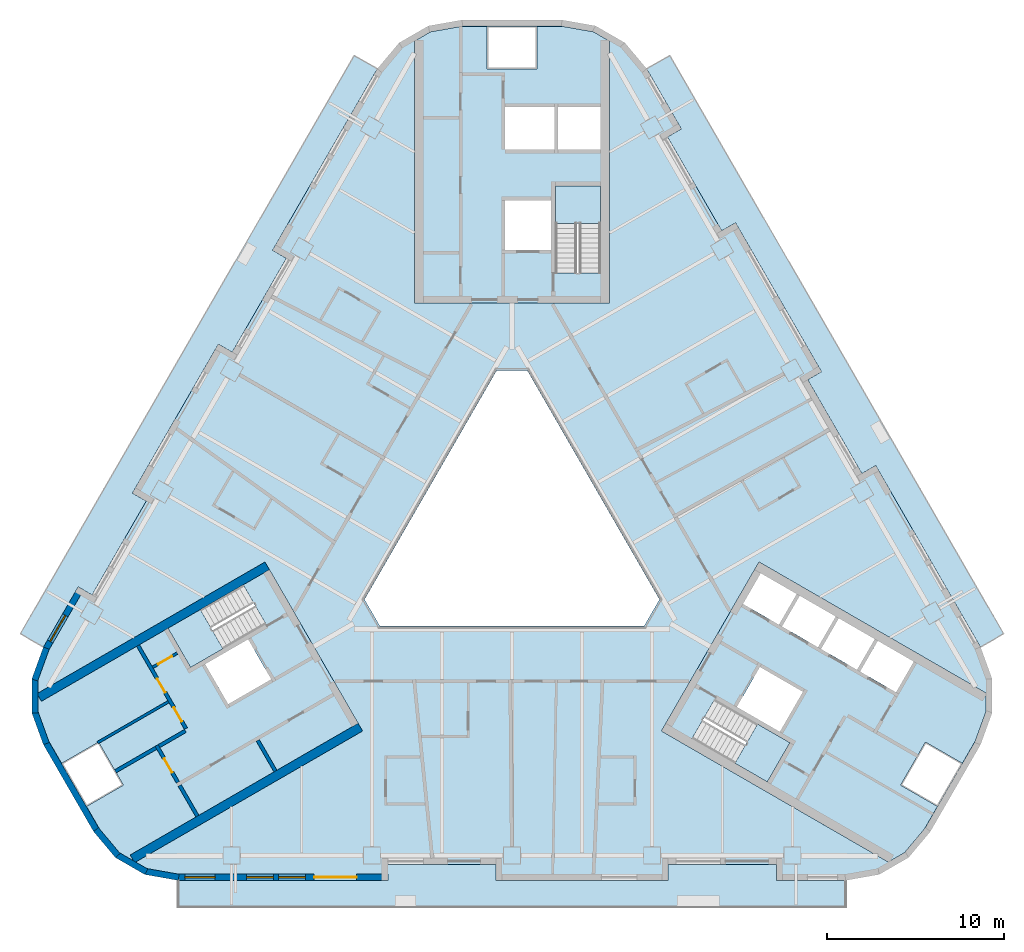
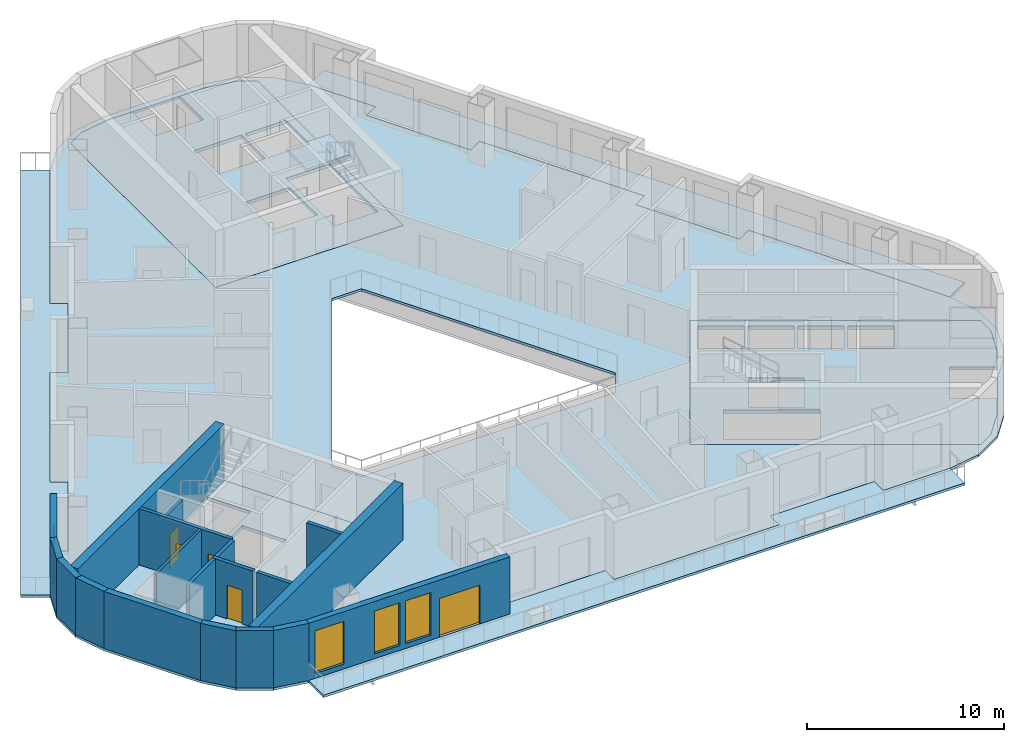
# One storey, part 2 of 14: 19 walls, 10 slabs, 5 doors, 4 windows, 9 openings, 3 elements without a shape of their own.
"""IFC4 building model written with IfcOpenShell, lengths in metres."""

from ifc_helpers import new_model, si_unit, direction, frame, frame_2d, origin, place, context, subcontext, project, spatial, polyline, rectangle, outline, extrude, material, layer, layer_set, type_object, element, fill, aggregate, save


model = new_model("IFC4")

# Units and contexts
model_context = context("Model", 3, precision=1e-05, world=origin(), true_north=direction((0.0, 1.0)))
body_context = subcontext(model_context, "Body", "Model", "MODEL_VIEW")
ifc_project = project(units=[si_unit("LENGTHUNIT", "METRE"), si_unit("AREAUNIT", "SQUARE_METRE"), si_unit("VOLUMEUNIT", "CUBIC_METRE"), si_unit("PLANEANGLEUNIT", "RADIAN"), si_unit("MASSUNIT", "GRAM", prefix="KILO")], contexts=[model_context])

# Site, building, storey
site_placement = place(None, origin())
site = spatial("IfcSite", under=ifc_project, at=site_placement, CompositionType="ELEMENT")
building_placement = place(site_placement, origin())
building = spatial("IfcBuilding", under=site, at=building_placement, Name="Apuvela Tower Hotel", CompositionType="ELEMENT")
storey_placement = place(building_placement, frame((0.0, 0.0, 72.39990234375)))
storey = spatial("IfcBuildingStorey", under=building, at=storey_placement, Name="L15", CompositionType="ELEMENT", Elevation=72.39990234375)

# Slabs
ifc_material_1 = material(Name="Concrete C50/60", Category="concrete")
ifc_layer_1 = layer(ifc_material_1, 0.199951171875)
ifc_layer_set_1 = layer_set([ifc_layer_1], Name="COR-FLOOR-200")
slab_type_1 = type_object("IfcSlabType", Name="COR-FLOOR-200", PredefinedType="FLOOR", material=ifc_layer_set_1)
slab_1_placement = place(storey_placement, frame((0.0, 0.0, -0.199951171875)))
element("IfcSlab", 1, at=slab_1_placement, inside=storey, type_object=slab_type_1, Name="Core floor N", PredefinedType="FLOOR", context=body_context, shape_type="SweptSolid", body=[
    extrude(outline(polyline([(5.5, 27.668212890625), (4.588623046875, 28.1943359375), (2.85498046875, 28.5), (1.39990234375, 28.5), (1.39990234375, 26.10009765625), (-1.39990234375, 26.10009765625), (-1.39990234375, 28.5), (-2.85498046875, 28.5), (-4.588623046875, 28.1943359375), (-5.5, 27.668212890625), (-5.5, 12.89990234375), (5.5, 12.89990234375), (5.5, 27.668212890625)]), holes=[polyline([(5.0, 14.60595703125), (2.449951171875, 14.60595703125), (2.449951171875, 19.5), (5.0, 19.5), (5.0, 14.60595703125)]), polyline([(2.199951171875, 15.89990234375), (-0.39990234375, 15.89990234375), (-0.39990234375, 18.699951171875), (2.199951171875, 18.699951171875), (2.199951171875, 15.89990234375)]), polyline([(5.0, 21.550048828125), (2.60009765625, 21.550048828125), (2.60009765625, 23.949951171875), (5.0, 23.949951171875), (5.0, 21.550048828125)]), polyline([(2.39990234375, 21.550048828125), (-0.39990234375, 21.550048828125), (-0.39990234375, 23.949951171875), (2.39990234375, 23.949951171875), (2.39990234375, 21.550048828125)])]), origin(), (0.0, 0.0, 1.0), 0.199951171875),
])
slab_2_placement = place(storey_placement, frame((0.0, 0.0, -0.199951171875)))
element("IfcSlab", 2, at=slab_2_placement, inside=storey, type_object=slab_type_1, Name="Core floor SW", PredefinedType="FLOOR", context=body_context, shape_type="SweptSolid", body=[
    extrude(outline(polyline([(-26.711181640625, -9.07080078125), (-26.711181640625, -10.123291015625), (-26.109375, -11.77734375), (-25.381591796875, -13.03759765625), (-23.30322265625, -11.837646484375), (-21.9033203125, -14.262451171875), (-23.981689453125, -15.46240234375), (-23.254150390625, -16.72265625), (-22.122802734375, -18.071044921875), (-21.211181640625, -18.59716796875), (-8.421630859375, -11.213134765625), (-13.921630859375, -1.68701171875), (-26.711181640625, -9.07080078125)]), holes=[polyline([(-13.874267578125, -5.18115234375), (-18.112548828125, -7.628173828125), (-19.387451171875, -5.419921875), (-15.149169921875, -2.972900390625), (-13.874267578125, -5.18115234375)]), polyline([(-13.56982421875, -8.29638671875), (-15.99462890625, -9.6962890625), (-17.294677734375, -7.444580078125), (-14.869873046875, -6.044677734375), (-13.56982421875, -8.29638671875)])]), origin(), (0.0, 0.0, 1.0), 0.199951171875),
])
slab_3_placement = place(storey_placement, frame((0.0, 0.0, -0.199951171875)))
element("IfcSlab", 3, at=slab_3_placement, inside=storey, type_object=slab_type_1, Name="Core floor SE", PredefinedType="FLOOR", context=body_context, shape_type="SweptSolid", body=[
    extrude(outline(polyline([(21.211181640625, -18.59716796875), (22.122802734375, -18.071044921875), (23.254150390625, -16.72265625), (23.981689453125, -15.46240234375), (21.9033203125, -14.262451171875), (23.30322265625, -11.837646484375), (25.381591796875, -13.03759765625), (26.109375, -11.77734375), (26.711181640625, -10.123291015625), (26.711181640625, -9.07080078125), (13.921630859375, -1.68701171875), (8.421630859375, -11.213134765625), (21.211181640625, -18.59716796875)]), holes=[polyline([(13.01806640625, -4.052001953125), (14.01806640625, -2.31982421875), (16.044677734375, -3.489990234375), (15.044677734375, -5.221923828125), (13.01806640625, -4.052001953125)]), polyline([(17.244384765625, -6.491943359375), (15.2177734375, -5.322021484375), (16.2177734375, -3.58984375), (18.244384765625, -4.760009765625), (17.244384765625, -6.491943359375)]), polyline([(14.387451171875, -14.080078125), (10.149169921875, -11.633056640625), (11.42431640625, -9.4248046875), (15.66259765625, -11.871826171875), (14.387451171875, -14.080078125)]), polyline([(12.669921875, -9.855224609375), (13.9697265625, -7.603515625), (16.394775390625, -9.003662109375), (15.0947265625, -11.25537109375), (12.669921875, -9.855224609375)]), polyline([(19.444091796875, -7.761962890625), (17.41748046875, -6.591796875), (18.41748046875, -4.85986328125), (20.444091796875, -6.02978515625), (19.444091796875, -7.761962890625)]), polyline([(21.643798828125, -9.031982421875), (19.6171875, -7.86181640625), (20.6171875, -6.1298828125), (22.643798828125, -7.2998046875), (21.643798828125, -9.031982421875)])]), origin(), (0.0, 0.0, 1.0), 0.199951171875),
])

# Stair, slab
stair_type = type_object("IfcStairType", Name="COR-STAIR-22R", PredefinedType="HALF_TURN_STAIR", material=ifc_material_1)
stair_1_placement = place(storey_placement, origin())
stair_1 = element("IfcStair", 4, at=stair_1_placement, inside=storey, type_object=stair_type, Name="L15 Exit stair ST1", PredefinedType="HALF_TURN_STAIR")
ifc_layer_2 = layer(ifc_material_1, 0.199951171875)
ifc_layer_set_2 = layer_set([ifc_layer_2], Name="COR-LANDING-200")
slab_type_2 = type_object("IfcSlabType", Name="COR-LANDING-200", PredefinedType="LANDING", material=ifc_layer_set_2)
slab_4_placement = place(storey_placement, frame((0.0, 0.0, 1.650146484375)))
slab_4 = element("IfcSlab", 5, at=slab_4_placement, type_object=slab_type_2, Name="ST1 landing 1", PredefinedType="LANDING", context=body_context, shape_type="SweptSolid", body=[
    extrude(outline(polyline([(5.0, 17.39404296875), (5.0, 19.5), (2.449951171875, 19.5), (2.449951171875, 17.39404296875), (5.0, 17.39404296875)])), origin(), (0.0, 0.0, 1.0), 0.199951171875),
])
aggregate(stair_1, [slab_4])

stair_2_placement = place(storey_placement, origin())
stair_2 = element("IfcStair", 6, at=stair_2_placement, inside=storey, type_object=stair_type, Name="L15 Exit stair ST2", PredefinedType="HALF_TURN_STAIR")
slab_5_placement = place(storey_placement, frame((0.0, 0.0, 1.650146484375)))
slab_5 = element("IfcSlab", 7, at=slab_5_placement, type_object=slab_type_2, Name="ST2 landing 1", PredefinedType="LANDING", context=body_context, shape_type="SweptSolid", body=[
    extrude(outline(polyline([(-17.563720703125, -4.366943359375), (-19.387451171875, -5.419921875), (-18.112548828125, -7.628173828125), (-16.28857421875, -6.5751953125), (-17.563720703125, -4.366943359375)])), origin(), (0.0, 0.0, 1.0), 0.199951171875),
])
aggregate(stair_2, [slab_5])

stair_3_placement = place(storey_placement, origin())
stair_3 = element("IfcStair", 8, at=stair_3_placement, inside=storey, type_object=stair_type, Name="L15 Exit stair ST3", PredefinedType="HALF_TURN_STAIR")
slab_6_placement = place(storey_placement, frame((0.0, 0.0, 1.650146484375)))
slab_6 = element("IfcSlab", 9, at=slab_6_placement, type_object=slab_type_2, Name="ST3 landing 1", PredefinedType="LANDING", context=body_context, shape_type="SweptSolid", body=[
    extrude(outline(polyline([(12.563720703125, -13.027099609375), (14.387451171875, -14.080078125), (15.66259765625, -11.871826171875), (13.838623046875, -10.81884765625), (12.563720703125, -13.027099609375)])), origin(), (0.0, 0.0, 1.0), 0.199951171875),
])
aggregate(stair_3, [slab_6])

# Slabs
ifc_material_2 = material(Name="Concrete C40/50, fair-faced", Category="concrete")
ifc_layer_3 = layer(ifc_material_2, 0.14990234375)
ifc_layer_set_3 = layer_set([ifc_layer_3], Name="ENV-BALCONY-150")
slab_type_3 = type_object("IfcSlabType", Name="ENV-BALCONY-150", PredefinedType="FLOOR", material=ifc_layer_set_3)
slab_7_placement = place(storey_placement, frame((0.0, 0.0, -0.14990234375)))
element("IfcSlab", 10, at=slab_7_placement, inside=storey, type_object=slab_type_3, Name="Balcony slab S L15", PredefinedType="FLOOR", context=body_context, shape_type="SweptSolid", body=[
    extrude(outline(polyline([(18.82080078125, -21.135009765625), (-18.82080078125, -21.135009765625), (-18.82080078125, -19.625), (-7.0048828125, -19.625), (-7.0048828125, -18.72509765625), (-0.89501953125, -18.72509765625), (-0.89501953125, -19.625), (8.794921875, -19.625), (8.794921875, -18.72509765625), (14.905029296875, -18.72509765625), (14.905029296875, -19.625), (18.82080078125, -19.625), (18.82080078125, -21.135009765625)])), origin(), (0.0, 0.0, 1.0), 0.14990234375),
])
slab_8_placement = place(storey_placement, frame((0.0, 0.0, -0.14990234375)))
element("IfcSlab", 11, at=slab_8_placement, inside=storey, type_object=slab_type_3, Name="Balcony slab NE L15", PredefinedType="FLOOR", context=body_context, shape_type="SweptSolid", body=[
    extrude(outline(polyline([(17.443359375, 9.037353515625), (12.598388671875, 17.42919921875), (11.81884765625, 16.979248046875), (8.763916015625, 22.2705078125), (9.543212890625, 22.720703125), (7.585205078125, 26.11181640625), (8.89306640625, 26.86669921875), (27.7138671875, -5.731689453125), (26.40625, -6.48681640625), (20.498291015625, 3.74609375), (19.71875, 3.2958984375), (16.663818359375, 8.58740234375), (17.443359375, 9.037353515625)])), origin(), (0.0, 0.0, 1.0), 0.14990234375),
])
slab_9_placement = place(storey_placement, frame((0.0, 0.0, -0.14990234375)))
element("IfcSlab", 12, at=slab_9_placement, inside=storey, type_object=slab_type_3, Name="Balcony slab NW L15", PredefinedType="FLOOR", context=body_context, shape_type="SweptSolid", body=[
    extrude(outline(polyline([(-27.7138671875, -5.731689453125), (-8.89306640625, 26.86669921875), (-7.585205078125, 26.11181640625), (-13.4931640625, 15.87890625), (-12.7138671875, 15.428955078125), (-15.768798828125, 10.1376953125), (-16.548095703125, 10.587646484375), (-21.393310546875, 2.19580078125), (-20.61376953125, 1.745849609375), (-23.668701171875, -3.545654296875), (-24.4482421875, -3.095703125), (-26.40625, -6.48681640625), (-27.7138671875, -5.731689453125)])), origin(), (0.0, 0.0, 1.0), 0.14990234375),
])
ifc_material_3 = material(Name="Concrete C35/45", Category="concrete")
ifc_layer_4 = layer(ifc_material_3, 0.14990234375)
ifc_layer_set_4 = layer_set([ifc_layer_4], Name="STR-SLAB 150 floor Concrete C35/45")
slab_type_4 = type_object("IfcSlabType", Name="STR-SLAB 150 floor Concrete C35/45", PredefinedType="FLOOR", material=ifc_layer_set_4)
slab_10_placement = place(storey_placement, frame((0.0, 0.0, -0.14990234375)))
element("IfcSlab", 13, at=slab_10_placement, inside=storey, type_object=slab_type_4, Name="Floor slab S4 L15", PredefinedType="FLOOR", context=body_context, shape_type="SweptSolid", body=[
    extrude(outline(polyline([(-6.3642578125, 27.5732421875), (-4.710205078125, 28.5283203125), (-2.8291015625, 28.860107421875), (2.8291015625, 28.860107421875), (4.710205078125, 28.5283203125), (6.3642578125, 27.5732421875), (7.59228515625, 26.110107421875), (9.550048828125, 22.71875), (8.770751953125, 22.268798828125), (11.82080078125, 16.986083984375), (12.60009765625, 17.43603515625), (17.4501953125, 9.035400390625), (16.670654296875, 8.58544921875), (19.720703125, 3.302734375), (20.5, 3.752685546875), (26.407958984375, -6.47998046875), (27.061279296875, -8.27490234375), (27.061279296875, -10.18505859375), (26.407958984375, -11.97998046875), (23.5791015625, -16.8798828125), (22.351318359375, -18.34326171875), (20.697021484375, -19.29833984375), (18.81591796875, -19.6298828125), (14.89990234375, -19.6298828125), (14.89990234375, -18.72998046875), (8.800048828125, -18.72998046875), (8.800048828125, -19.6298828125), (-0.89990234375, -19.6298828125), (-0.89990234375, -18.72998046875), (-7.0, -18.72998046875), (-7.0, -19.6298828125), (-18.81591796875, -19.6298828125), (-20.697021484375, -19.29833984375), (-22.351318359375, -18.34326171875), (-23.5791015625, -16.8798828125), (-26.407958984375, -11.97998046875), (-27.061279296875, -10.18505859375), (-27.061279296875, -8.27490234375), (-26.407958984375, -6.47998046875), (-24.4501953125, -3.088623046875), (-23.670654296875, -3.538818359375), (-20.62060546875, 1.743896484375), (-21.400146484375, 2.194091796875), (-16.550048828125, 10.594482421875), (-15.7705078125, 10.14453125), (-12.720703125, 15.42724609375), (-13.5, 15.877197265625), (-7.59228515625, 26.110107421875), (-6.3642578125, 27.5732421875)]), holes=[polyline([(0.865966796875, 9.10009765625), (-0.865966796875, 9.10009765625), (-8.313720703125, -3.800048828125), (-7.44775390625, -5.300048828125), (7.44775390625, -5.300048828125), (8.313720703125, -3.800048828125), (0.865966796875, 9.10009765625)]), polyline([(-5.5, 12.89990234375), (-5.5, 27.668212890625), (-4.588623046875, 28.1943359375), (-2.85498046875, 28.5), (2.85498046875, 28.5), (4.588623046875, 28.1943359375), (5.5, 27.668212890625), (5.5, 12.89990234375), (-5.5, 12.89990234375)]), polyline([(-8.421630859375, -11.213134765625), (-21.211181640625, -18.59716796875), (-22.122802734375, -18.071044921875), (-23.254150390625, -16.72265625), (-26.109375, -11.77734375), (-26.711181640625, -10.123291015625), (-26.711181640625, -9.07080078125), (-13.921630859375, -1.68701171875), (-8.421630859375, -11.213134765625)]), polyline([(13.921630859375, -1.68701171875), (26.711181640625, -9.07080078125), (26.711181640625, -10.123291015625), (26.109375, -11.77734375), (23.254150390625, -16.72265625), (22.122802734375, -18.071044921875), (21.211181640625, -18.59716796875), (8.421630859375, -11.213134765625), (13.921630859375, -1.68701171875)])]), origin(), (0.0, 0.0, 1.0), 0.14990234375),
])

# Walls
ifc_layer_5 = layer(ifc_material_1, 0.5)
ifc_layer_set_5 = layer_set([ifc_layer_5], Name="COR-WALL-CORE-500")
wall_type_1 = type_object("IfcWallType", Name="COR-WALL-CORE-500", PredefinedType="SHEAR", material=ifc_layer_set_5)
for number, where, z_axis, x_axis, name in (
    (14, (-13.796630859375, -1.9033203125, 0.0), (0.0, 0.0, 1.0), (-0.866025009528, -0.500000682871, 0.0), "Core wall SW"),
    (15, (-8.546630859375, -10.99658203125, 0.0), (0.0, 0.0, 1.0), (-0.866025009528, -0.500000682871, 0.0), "Core wall SW"),
):
    element("IfcWall", number, at=place(storey_placement, frame(where, z_axis=z_axis, x_axis=x_axis)), inside=storey, type_object=wall_type_1, Name=name, PredefinedType="SHEAR", context=body_context, shape_type="SweptSolid", body=[
        extrude(rectangle(XDim=14.8369140625, YDim=0.5, at=frame_2d((7.41845703125, 0.0))), origin(), (0.0, 0.0, 1.0), 3.5),
    ])

# Wall, opening, door
ifc_material_4 = material(Name="Blockwork 150 mm plastered", Category="masonry")
ifc_layer_6 = layer(ifc_material_4, 0.14990234375)
ifc_layer_set_6 = layer_set([ifc_layer_6], Name="COR-WALL-PART-150")
wall_type_2 = type_object("IfcWallType", Name="COR-WALL-PART-150", PredefinedType="PARTITIONING", material=ifc_layer_set_6)
wall_1_placement = place(storey_placement, frame((-18.866455078125, -6.822265625, 0.0), z_axis=(0.0, 0.0, 1.0), x_axis=(-0.866028054938, -0.499995408039, 0.0)))
wall_1 = element("IfcWall", 16, at=wall_1_placement, inside=storey, type_object=wall_type_2, Name="Partition SW", PredefinedType="PARTITIONING", context=body_context, shape_type="SweptSolid", body=[
    extrude(rectangle(XDim=1.60009765625, YDim=0.14990234375, at=frame_2d((0.800048828125, 0.0))), origin(), (0.0, 0.0, 1.0), 3.5),
])
opening_1_placement = place(wall_1_placement, frame((0.35009765625, 0.0, 0.0)))
opening_1 = element("IfcOpeningElement", 17, at=opening_1_placement, cuts=wall_1, Name="Opening W-RD", PredefinedType="OPENING", context=body_context, shape_type="SweptSolid", body=[
    extrude(rectangle(XDim=0.89990234375, YDim=2.10009765625, at=frame_2d((0.449951171875, 1.050048828125))), frame((0.0, 0.0849609375, 0.0), z_axis=(0.0, -1.0, 0.0), x_axis=(1.0, 0.0, 0.0)), (0.0, 0.0, 1.0), 0.169921875),
])
ifc_material_5 = material(Name="Steel access door, powder coated", Category="steel")
door_type_1 = type_object("IfcDoorType", Name="COR-RD-900", OperationType="NOTDEFINED", PredefinedType="DOOR", material=ifc_material_5)
door_1_placement = place(opening_1_placement, frame((0.89990234375, 0.0, 0.0), z_axis=(0.0, 0.0, 1.0), x_axis=(-1.0, 0.0, 0.0)))
door_1 = element("IfcDoor", 18, at=door_1_placement, inside=storey, type_object=door_type_1, Name="Riser door W-RD", OperationType="SINGLE_SWING_RIGHT", OverallHeight=2.10009765625, OverallWidth=0.89990234375, PredefinedType="DOOR", context=body_context, shape_type="SweptSolid", body=[
    extrude(rectangle(XDim=0.89990234375, YDim=2.10009765625, at=frame_2d((0.449951171875, 1.050048828125))), frame((0.0, 0.02490234375, 0.0), z_axis=(0.0, -1.0, 0.0), x_axis=(1.0, 0.0, 0.0)), (0.0, 0.0, 1.0), 0.050048828125),
])
fill(opening_1, door_1)

# Wall
wall_2_placement = place(storey_placement, frame((-19.36279296875, -9.5625, 0.0), z_axis=(0.0, 0.0, 1.0), x_axis=(-0.86601185002, -0.500023475074, 0.0)))
element("IfcWall", 19, at=wall_2_placement, inside=storey, type_object=wall_type_2, Name="Partition SW", PredefinedType="PARTITIONING", context=body_context, shape_type="SweptSolid", body=[
    extrude(rectangle(XDim=4.610107421875, YDim=0.14990234375, at=frame_2d((2.30517578125, 0.0))), origin(), (0.0, 0.0, 1.0), 3.5),
])

# Wall, openings, doors
ifc_material_6 = material(Name="Blockwork 200 mm plastered", Category="masonry")
ifc_layer_7 = layer(ifc_material_6, 0.199951171875)
ifc_layer_set_7 = layer_set([ifc_layer_7], Name="COR-WALL-PART-200")
wall_type_3 = type_object("IfcWallType", Name="COR-WALL-PART-200", PredefinedType="PARTITIONING", material=ifc_layer_set_7)
wall_3_placement = place(storey_placement, frame((-21.076171875, -6.39501953125, 0.0), z_axis=(0.0, 0.0, 1.0), x_axis=(0.50001468107, -0.866016927499, 0.0)))
wall_3 = element("IfcWall", 20, at=wall_3_placement, inside=storey, type_object=wall_type_3, Name="Partition SW", PredefinedType="PARTITIONING", context=body_context, shape_type="SweptSolid", body=[
    extrude(rectangle(XDim=5.399658203125, YDim=0.199951171875, at=frame_2d((2.69970703125, 0.0))), origin(), (0.0, 0.0, 1.0), 3.5),
])
opening_2_placement = place(wall_3_placement, frame((2.16259765625, 0.0, 0.0)))
opening_2 = element("IfcOpeningElement", 21, at=opening_2_placement, cuts=wall_3, Name="Opening W-RS1", PredefinedType="OPENING", context=body_context, shape_type="SweptSolid", body=[
    extrude(rectangle(XDim=0.89990234375, YDim=2.10009765625, at=frame_2d((0.449951171875, 1.050048828125))), frame((0.0, 0.10986328125, 0.0), z_axis=(0.0, -1.0, 0.0), x_axis=(1.0, 0.0, 0.0)), (0.0, 0.0, 1.0), 0.219970703125),
])
opening_3_placement = place(wall_3_placement, frame((4.03759765625, 0.0, 0.0)))
opening_3 = element("IfcOpeningElement", 22, at=opening_3_placement, cuts=wall_3, Name="Opening W-RS2", PredefinedType="OPENING", context=body_context, shape_type="SweptSolid", body=[
    extrude(rectangle(XDim=0.89990234375, YDim=2.10009765625, at=frame_2d((0.449951171875, 1.050048828125))), frame((0.0, 0.10986328125, 0.0), z_axis=(0.0, -1.0, 0.0), x_axis=(1.0, 0.0, 0.0)), (0.0, 0.0, 1.0), 0.219970703125),
])
ifc_material_7 = material(Name="Steel fire door, powder coated", Category="steel")
door_type_2 = type_object("IfcDoorType", Name="COR-DR-900", OperationType="NOTDEFINED", PredefinedType="DOOR", material=ifc_material_7)
door_2_placement = place(opening_2_placement, frame((0.89990234375, 0.0, 0.0), z_axis=(0.0, 0.0, 1.0), x_axis=(-1.0, 0.0, 0.0)))
door_2 = element("IfcDoor", 23, at=door_2_placement, inside=storey, type_object=door_type_2, Name="Store door W-RS1", OperationType="SINGLE_SWING_LEFT", OverallHeight=2.10009765625, OverallWidth=0.89990234375, PredefinedType="DOOR", context=body_context, shape_type="SweptSolid", body=[
    extrude(rectangle(XDim=0.89990234375, YDim=2.10009765625, at=frame_2d((0.449951171875, 1.050048828125))), frame((0.0, 0.02490234375, 0.0), z_axis=(0.0, -1.0, 0.0), x_axis=(1.0, 0.0, 0.0)), (0.0, 0.0, 1.0), 0.050048828125),
])
fill(opening_2, door_2)
door_3_placement = place(opening_3_placement, frame((0.89990234375, 0.0, 0.0), z_axis=(0.0, 0.0, 1.0), x_axis=(-1.0, 0.0, 0.0)))
door_3 = element("IfcDoor", 24, at=door_3_placement, inside=storey, type_object=door_type_2, Name="Store door W-RS2", OperationType="SINGLE_SWING_LEFT", OverallHeight=2.10009765625, OverallWidth=0.89990234375, PredefinedType="DOOR", context=body_context, shape_type="SweptSolid", body=[
    extrude(rectangle(XDim=0.89990234375, YDim=2.10009765625, at=frame_2d((0.449951171875, 1.050048828125))), frame((0.0, 0.02490234375, 0.0), z_axis=(0.0, -1.0, 0.0), x_axis=(1.0, 0.0, 0.0)), (0.0, 0.0, 1.0), 0.050048828125),
])
fill(opening_3, door_3)

# Wall, opening, door
ifc_layer_8 = layer(ifc_material_1, 0.199951171875)
ifc_layer_set_8 = layer_set([ifc_layer_8], Name="COR-WALL-SHAFT-200")
wall_type_4 = type_object("IfcWallType", Name="COR-WALL-SHAFT-200", PredefinedType="SHEAR", material=ifc_layer_set_8)
wall_4_placement = place(storey_placement, frame((-20.030517578125, -12.0263671875, 0.0), z_axis=(0.0, 0.0, 1.0), x_axis=(0.500033551112, -0.866006032174, 0.0)))
wall_4 = element("IfcWall", 25, at=wall_4_placement, inside=storey, type_object=wall_type_4, Name="Shaft wall SW", PredefinedType="SHEAR", context=body_context, shape_type="SweptSolid", body=[
    extrude(rectangle(XDim=2.400146484375, YDim=0.199951171875, at=frame_2d((1.2001953125, 0.0))), origin(), (0.0, 0.0, 1.0), 3.5),
])
opening_4_placement = place(wall_4_placement, frame((0.85009765625, 0.0, 0.0)))
opening_4 = element("IfcOpeningElement", 26, at=opening_4_placement, cuts=wall_4, Name="Opening W-REP", PredefinedType="OPENING", context=body_context, shape_type="SweptSolid", body=[
    extrude(rectangle(XDim=0.89990234375, YDim=2.10009765625, at=frame_2d((0.449951171875, 1.050048828125))), frame((0.0, 0.10986328125, 0.0), z_axis=(0.0, -1.0, 0.0), x_axis=(1.0, 0.0, 0.0)), (0.0, 0.0, 1.0), 0.219970703125),
])
door_4_placement = place(opening_4_placement, frame((0.89990234375, 0.0, 0.0), z_axis=(0.0, 0.0, 1.0), x_axis=(-1.0, 0.0, 0.0)))
door_4 = element("IfcDoor", 27, at=door_4_placement, inside=storey, type_object=door_type_2, Name="Store door W-REP", OperationType="SINGLE_SWING_LEFT", OverallHeight=2.10009765625, OverallWidth=0.89990234375, PredefinedType="DOOR", context=body_context, shape_type="SweptSolid", body=[
    extrude(rectangle(XDim=0.89990234375, YDim=2.10009765625, at=frame_2d((0.449951171875, 1.050048828125))), frame((0.0, 0.02490234375, 0.0), z_axis=(0.0, -1.0, 0.0), x_axis=(1.0, 0.0, 0.0)), (0.0, 0.0, 1.0), 0.050048828125),
])
fill(opening_4, door_4)

# Walls
wall_5_placement = place(storey_placement, frame((-18.412841796875, -11.2080078125, 0.0), z_axis=(0.0, 0.0, 1.0), x_axis=(-0.866038183914, -0.499977863513, 0.0)))
element("IfcWall", 28, at=wall_5_placement, inside=storey, type_object=wall_type_4, Name="Shaft wall SW", PredefinedType="SHEAR", context=body_context, shape_type="SweptSolid", body=[
    extrude(rectangle(XDim=1.7099609375, YDim=0.199951171875, at=frame_2d((0.85498046875, 0.0))), origin(), (0.0, 0.0, 1.0), 3.5),
])
for number, where, z_axis, x_axis, name in (
    (29, (-14.330810546875, -11.738037109375, 0.0), (0.0, 0.0, 1.0), (0.499972520799, -0.866041268327, 0.0), "Shaft wall SW"),
    (30, (-18.73046875, -14.278076171875, 0.0), (0.0, 0.0, 1.0), (0.50002537861, -0.866010750942, 0.0), "Shaft wall SW"),
):
    element("IfcWall", number, at=place(storey_placement, frame(where, z_axis=z_axis, x_axis=x_axis)), inside=storey, type_object=wall_type_4, Name=name, PredefinedType="SHEAR", context=body_context, shape_type="SweptSolid", body=[
        extrude(rectangle(XDim=2.0, YDim=0.199951171875, at=frame_2d((1.0, 0.0))), origin(), (0.0, 0.0, 1.0), 3.5),
    ])
wall_6_placement = place(storey_placement, frame((-20.06689453125, -12.1630859375, 0.0), z_axis=(0.0, 0.0, 1.0), x_axis=(-0.866060851709, -0.499938597367, 0.0)))
element("IfcWall", 31, at=wall_6_placement, inside=storey, type_object=wall_type_4, Name="Shaft wall SW", PredefinedType="SHEAR", context=body_context, shape_type="SweptSolid", body=[
    extrude(rectangle(XDim=2.639892578125, YDim=0.199951171875, at=frame_2d((1.31982421875, 0.0))), origin(), (0.0, 0.0, 1.0), 3.5),
])

# Wall, opening, window
ifc_material_8 = material(Name="Concrete C40/50, dark pigmented precast panel", Category="concrete")
ifc_layer_9 = layer(ifc_material_8, 0.35009765625)
ifc_layer_set_9 = layer_set([ifc_layer_9], Name="ENV-WALL-350")
wall_type_5 = type_object("IfcWallType", Name="ENV-WALL-350", PredefinedType="SOLIDWALL", material=ifc_layer_set_9)
wall_7_placement = place(storey_placement, frame((-24.298583984375, -3.17626953125, 0.0), z_axis=(0.0, 0.0, 1.0), x_axis=(-0.500028278809, -0.866009076391, 0.0)))
wall_7 = element("IfcWall", 32, at=wall_7_placement, inside=storey, type_object=wall_type_5, Name="External wall L15-09", PredefinedType="SOLIDWALL", context=body_context, shape_type="SweptSolid", body=[
    extrude(rectangle(XDim=3.915771484375, YDim=0.35009765625, at=frame_2d((1.9580078125, 0.0))), origin(), (0.0, 0.0, 1.0), 3.550048828125),
])
opening_5_placement = place(wall_7_placement, frame((1.750244140625, 0.0, 0.300048828125)))
opening_5 = element("IfcOpeningElement", 33, at=opening_5_placement, cuts=wall_7, Name="Opening WN17", PredefinedType="OPENING", context=body_context, shape_type="SweptSolid", body=[
    extrude(rectangle(XDim=1.699951171875, YDim=2.64990234375, at=frame_2d((0.85009765625, 1.324951171875))), frame((0.0, 0.18505859375, 0.0), z_axis=(0.0, -1.0, 0.0), x_axis=(1.0, 0.0, 0.0)), (0.0, 0.0, 1.0), 0.3701171875),
])
ifc_material_9 = material(Name="Glass, dark tinted laminated insulated glazing unit", Category="glass")
window_type_1 = type_object("IfcWindowType", Name="ENV-WIN-1700x2650", PartitioningType="SINGLE_PANEL", PredefinedType="WINDOW", material=ifc_material_9)
window_1_placement = place(opening_5_placement, origin())
window_1 = element("IfcWindow", 34, at=window_1_placement, inside=storey, type_object=window_type_1, Name="Window WN17", OverallHeight=2.64990234375, OverallWidth=1.699951171875, PartitioningType="SINGLE_PANEL", PredefinedType="WINDOW", context=body_context, shape_type="SweptSolid", body=[
    extrude(rectangle(XDim=1.699951171875, YDim=2.64990234375, at=frame_2d((0.85009765625, 1.324951171875))), frame((0.0, 0.030029296875, 0.0), z_axis=(0.0, -1.0, 0.0), x_axis=(1.0, 0.0, 0.0)), (0.0, 0.0, 1.0), 0.06005859375),
])
fill(opening_5, window_1)

# Walls
for number, where, z_axis, x_axis, name in (
    (35, (-26.24365234375, -6.539794921875, 0.0), (0.0, 0.0, 1.0), (-0.342030395486, -0.939688889242, 0.0), "External wall L15-10"),
    (36, (-26.88623046875, -8.27490234375, 0.0), (0.0, 0.0, 1.0), (0.0, -1.0, 0.0), "External wall L15-11"),
    (37, (-26.89697265625, -10.125244140625, 0.0), (0.0, 0.0, 1.0), (0.342030395486, -0.939688889242, 0.0), "External wall L15-12"),
):
    element("IfcWall", number, at=place(storey_placement, frame(where, z_axis=z_axis, x_axis=x_axis)), inside=storey, type_object=wall_type_5, Name=name, PredefinedType="SOLIDWALL", context=body_context, shape_type="SweptSolid", body=[
        extrude(rectangle(XDim=1.91015625, YDim=0.35009765625, at=frame_2d((0.955078125, 0.0))), origin(), (0.0, 0.0, 1.0), 3.550048828125),
    ])
wall_8_placement = place(storey_placement, frame((-26.256591796875, -11.892578125, 0.0), z_axis=(0.0, 0.0, 1.0), x_axis=(0.500018773155, -0.866014564827, 0.0)))
element("IfcWall", 38, at=wall_8_placement, inside=storey, type_object=wall_type_5, Name="External wall L15-13", PredefinedType="SOLIDWALL", context=body_context, shape_type="SweptSolid", body=[
    extrude(rectangle(XDim=5.657958984375, YDim=0.35009765625, at=frame_2d((2.8291015625, 0.0))), origin(), (0.0, 0.0, 1.0), 3.550048828125),
])
for number, where, z_axis, x_axis, name in (
    (39, (-23.44482421875, -16.767578125, 0.0), (0.0, 0.0, 1.0), (0.642733291068, -0.76609001857, 0.0), "External wall L15-14"),
    (40, (-22.263671875, -18.191650390625, 0.0), (0.0, 0.0, 1.0), (0.866000389056, -0.500043324278, 0.0), "External wall L15-15"),
):
    element("IfcWall", number, at=place(storey_placement, frame(where, z_axis=z_axis, x_axis=x_axis)), inside=storey, type_object=wall_type_5, Name=name, PredefinedType="SOLIDWALL", context=body_context, shape_type="SweptSolid", body=[
        extrude(rectangle(XDim=1.909912109375, YDim=0.35009765625, at=frame_2d((0.955078125, 0.0))), origin(), (0.0, 0.0, 1.0), 3.550048828125),
    ])
wall_9_placement = place(storey_placement, frame((-20.66650390625, -19.1259765625, 0.0), z_axis=(0.0, 0.0, 1.0), x_axis=(0.984798995425, -0.173697837091, 0.0)))
element("IfcWall", 41, at=wall_9_placement, inside=storey, type_object=wall_type_5, Name="External wall L15-16", PredefinedType="SOLIDWALL", context=body_context, shape_type="SweptSolid", body=[
    extrude(rectangle(XDim=1.91015625, YDim=0.35009765625, at=frame_2d((0.955078125, 0.0))), origin(), (0.0, 0.0, 1.0), 3.550048828125),
])

# Wall, openings, door, windows
wall_10_placement = place(storey_placement, frame((-18.81591796875, -19.455078125, 0.0), z_axis=(0.0, 0.0, 1.0), x_axis=(1.0, 0.0, 0.0)))
wall_10 = element("IfcWall", 42, at=wall_10_placement, inside=storey, type_object=wall_type_5, Name="External wall L15-17", PredefinedType="SOLIDWALL", context=body_context, shape_type="SweptSolid", body=[
    extrude(rectangle(XDim=11.81591796875, YDim=0.35009765625, at=frame_2d((5.907958984375, 0.0))), origin(), (0.0, 0.0, 1.0), 3.550048828125),
])
opening_6_placement = place(wall_10_placement, frame((0.380615234375, 0.0, 0.300048828125)))
opening_6 = element("IfcOpeningElement", 43, at=opening_6_placement, cuts=wall_10, Name="Opening WN17", PredefinedType="OPENING", context=body_context, shape_type="SweptSolid", body=[
    extrude(rectangle(XDim=1.699951171875, YDim=2.64990234375, at=frame_2d((0.85009765625, 1.324951171875))), frame((0.0, 0.18505859375, 0.0), z_axis=(0.0, -1.0, 0.0), x_axis=(1.0, 0.0, 0.0)), (0.0, 0.0, 1.0), 0.3701171875),
])
opening_7_placement = place(wall_10_placement, frame((7.665283203125, 0.0, 0.0)))
opening_7 = element("IfcOpeningElement", 44, at=opening_7_placement, cuts=wall_10, Name="Opening BD24", PredefinedType="OPENING", context=body_context, shape_type="SweptSolid", body=[
    extrude(rectangle(XDim=2.39990234375, YDim=2.39990234375, at=frame_2d((1.199951171875, 1.199951171875))), frame((0.0, 0.18505859375, 0.0), z_axis=(0.0, -1.0, 0.0), x_axis=(1.0, 0.0, 0.0)), (0.0, 0.0, 1.0), 0.3701171875),
])
opening_8_placement = place(wall_10_placement, frame((3.865966796875, 0.0, 0.300048828125)))
opening_8 = element("IfcOpeningElement", 45, at=opening_8_placement, cuts=wall_10, Name="Opening WN15", PredefinedType="OPENING", context=body_context, shape_type="SweptSolid", body=[
    extrude(rectangle(XDim=1.5, YDim=2.64990234375, at=frame_2d((0.75, 1.324951171875))), frame((0.0, 0.18505859375, 0.0), z_axis=(0.0, -1.0, 0.0), x_axis=(1.0, 0.0, 0.0)), (0.0, 0.0, 1.0), 0.3701171875),
])
opening_9_placement = place(wall_10_placement, frame((5.666015625, 0.0, 0.300048828125)))
opening_9 = element("IfcOpeningElement", 46, at=opening_9_placement, cuts=wall_10, Name="Opening WN15", PredefinedType="OPENING", context=body_context, shape_type="SweptSolid", body=[
    extrude(rectangle(XDim=1.5, YDim=2.64990234375, at=frame_2d((0.75, 1.324951171875))), frame((0.0, 0.18505859375, 0.0), z_axis=(0.0, -1.0, 0.0), x_axis=(1.0, 0.0, 0.0)), (0.0, 0.0, 1.0), 0.3701171875),
])
ifc_material_10 = material(Name="Aluminium 6063-T6, dark bronze anodised frame with dark tinted laminated glass", Category="aluminium")
door_type_3 = type_object("IfcDoorType", Name="ENV-DOOR-BALCONY-2400x2400", OperationType="SLIDING_TO_LEFT", PredefinedType="DOOR", material=ifc_material_10)
door_5_placement = place(opening_7_placement, frame((2.39990234375, 0.0, 0.0), z_axis=(0.0, 0.0, 1.0), x_axis=(-1.0, 0.0, 0.0)))
door_5 = element("IfcDoor", 47, at=door_5_placement, inside=storey, type_object=door_type_3, Name="Balcony door BD24", OperationType="SLIDING_TO_LEFT", OverallHeight=2.39990234375, OverallWidth=2.39990234375, PredefinedType="DOOR", context=body_context, shape_type="SweptSolid", body=[
    extrude(rectangle(XDim=2.39990234375, YDim=2.39990234375, at=frame_2d((1.199951171875, 1.199951171875))), frame((0.0, 0.02490234375, 0.0), z_axis=(0.0, -1.0, 0.0), x_axis=(1.0, 0.0, 0.0)), (0.0, 0.0, 1.0), 0.050048828125),
])
fill(opening_7, door_5)
window_type_2 = type_object("IfcWindowType", Name="ENV-WIN-1500x2650", PartitioningType="SINGLE_PANEL", PredefinedType="WINDOW", material=ifc_material_9)
window_2_placement = place(opening_8_placement, origin())
window_2 = element("IfcWindow", 48, at=window_2_placement, inside=storey, type_object=window_type_2, Name="Window WN15", OverallHeight=2.64990234375, OverallWidth=1.5, PartitioningType="SINGLE_PANEL", PredefinedType="WINDOW", context=body_context, shape_type="SweptSolid", body=[
    extrude(rectangle(XDim=1.5, YDim=2.64990234375, at=frame_2d((0.75, 1.324951171875))), frame((0.0, 0.030029296875, 0.0), z_axis=(0.0, -1.0, 0.0), x_axis=(1.0, 0.0, 0.0)), (0.0, 0.0, 1.0), 0.06005859375),
])
fill(opening_8, window_2)
window_3_placement = place(opening_9_placement, origin())
window_3 = element("IfcWindow", 49, at=window_3_placement, inside=storey, type_object=window_type_2, Name="Window WN15", OverallHeight=2.64990234375, OverallWidth=1.5, PartitioningType="SINGLE_PANEL", PredefinedType="WINDOW", context=body_context, shape_type="SweptSolid", body=[
    extrude(rectangle(XDim=1.5, YDim=2.64990234375, at=frame_2d((0.75, 1.324951171875))), frame((0.0, 0.030029296875, 0.0), z_axis=(0.0, -1.0, 0.0), x_axis=(1.0, 0.0, 0.0)), (0.0, 0.0, 1.0), 0.06005859375),
])
fill(opening_9, window_3)
window_4_placement = place(opening_6_placement, origin())
window_4 = element("IfcWindow", 50, at=window_4_placement, inside=storey, type_object=window_type_1, Name="Window WN17", OverallHeight=2.64990234375, OverallWidth=1.699951171875, PartitioningType="SINGLE_PANEL", PredefinedType="WINDOW", context=body_context, shape_type="SweptSolid", body=[
    extrude(rectangle(XDim=1.699951171875, YDim=2.64990234375, at=frame_2d((0.85009765625, 1.324951171875))), frame((0.0, 0.030029296875, 0.0), z_axis=(0.0, -1.0, 0.0), x_axis=(1.0, 0.0, 0.0)), (0.0, 0.0, 1.0), 0.06005859375),
])
fill(opening_6, window_4)

save(model, "model.ifc")
